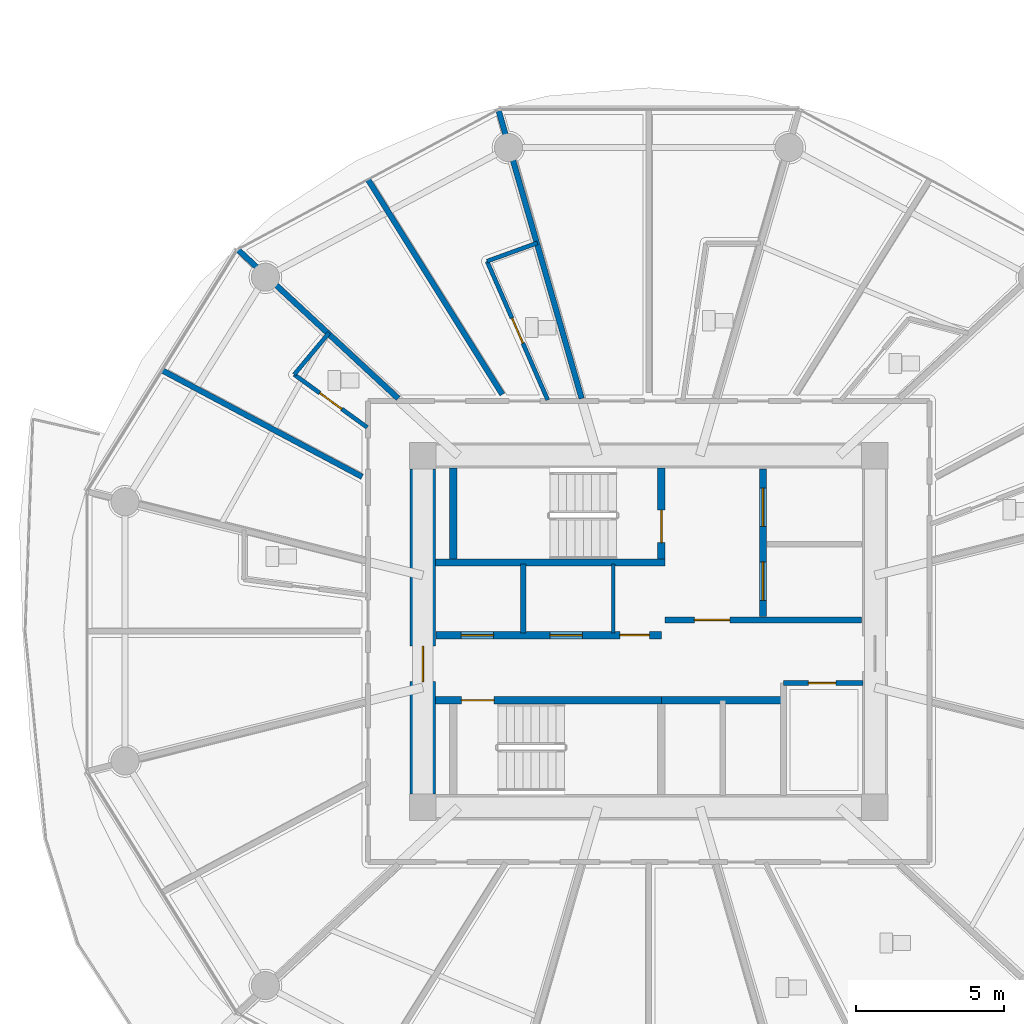
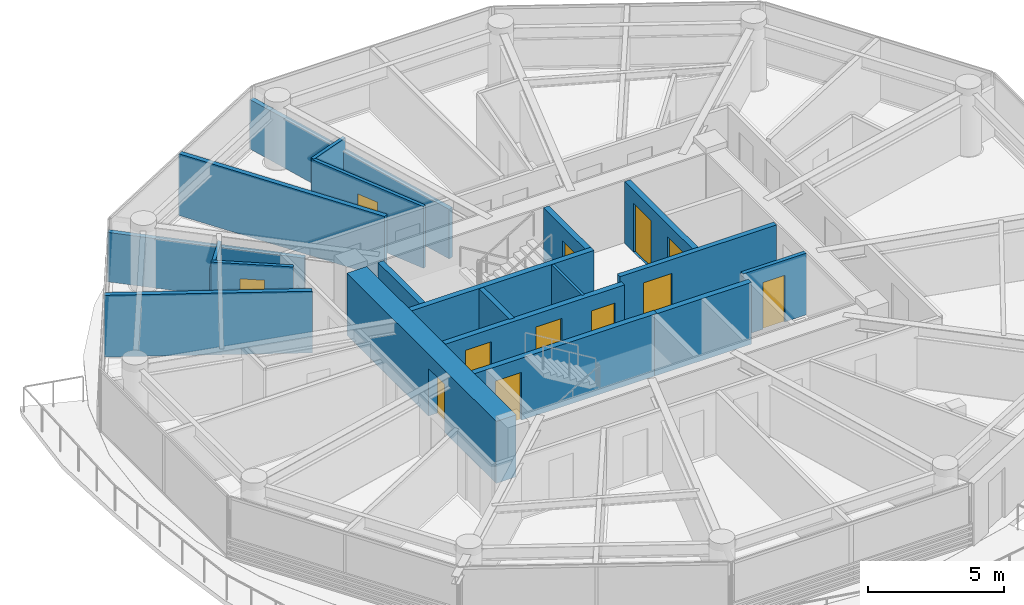
# One storey, part 16 of 31: 20 walls, 12 doors, 12 openings.
"""IFC4 building model written with IfcOpenShell, lengths in metres."""

from ifc_helpers import new_model, si_unit, direction, frame, frame_2d, origin, place, context, subcontext, project, spatial, rectangle, extrude, source, transform, mapped, material, layer, layer_set, type_object, type_shapes, element, fill, save


model = new_model("IFC4")

# Units and contexts
model_context = context("Model", 3, precision=1e-05, world=origin(), true_north=direction((0.0, 1.0)))
body_context = subcontext(model_context, "Body", "Model", "MODEL_VIEW")
ifc_project = project(units=[si_unit("LENGTHUNIT", "METRE"), si_unit("AREAUNIT", "SQUARE_METRE"), si_unit("VOLUMEUNIT", "CUBIC_METRE"), si_unit("PLANEANGLEUNIT", "RADIAN"), si_unit("MASSUNIT", "GRAM", prefix="KILO")], contexts=[model_context])

# Site, building, storey
site_placement = place(None, origin())
site = spatial("IfcSite", under=ifc_project, at=site_placement, CompositionType="ELEMENT")
building_placement = place(site_placement, origin())
building = spatial("IfcBuilding", under=site, at=building_placement, Name="Norrkilde Senior Care Towers", CompositionType="ELEMENT")
storey_placement = place(building_placement, frame((0.0, 0.0, 42.949951171875)))
storey = spatial("IfcBuildingStorey", under=building, at=storey_placement, Name="L12", CompositionType="ELEMENT", Elevation=42.949951171875)

# Wall, opening, door
ifc_material_1 = material(Name="Concrete C60/75", Category="concrete")
ifc_layer_1 = layer(ifc_material_1, 0.85009765625)
ifc_layer_set_1 = layer_set([ifc_layer_1], Name="Concrete C60/75")
wall_type_1 = type_object("IfcWallType", Name="Core Shear Wall Z1 850", PredefinedType="SHEAR", material=ifc_layer_set_1)
shared_shape_1 = source(origin(), body_context, "Body", "SweptSolid", [
    extrude(rectangle(XDim=11.0, YDim=0.85009765625, at=frame_2d((5.5, 0.0))), origin(), (0.0, 0.0, 1.0), 2.7900390625),
])
type_shapes(wall_type_1, [shared_shape_1])
wall_1_placement = place(storey_placement, frame((-35.64990234375, -5.5, 0.0), z_axis=(0.0, 0.0, 1.0), x_axis=(0.0, 1.0, 0.0)))
wall_1 = element("IfcWall", 1, at=wall_1_placement, inside=storey, type_object=wall_type_1, Name="L12 Core W West Shear Wall", PredefinedType="SHEAR", context=body_context, shape_type="MappedRepresentation", body=[
    mapped(shared_shape_1, transform((0.0, 0.0, 0.0), x_axis=(1.0, 0.0, 0.0), y_axis=(0.0, 1.0, 0.0), z_axis=(0.0, 0.0, 1.0), scale=1.0)),
])
opening_1_placement = place(wall_1_placement, frame((3.800048828125, 0.0, 0.0)))
opening_1 = element("IfcOpeningElement", 2, at=opening_1_placement, cuts=wall_1, Name="Opening D-04", PredefinedType="OPENING", context=body_context, shape_type="SweptSolid", body=[
    extrude(rectangle(XDim=1.199951171875, YDim=2.14990234375, at=frame_2d((0.60009765625, 1.074951171875))), frame((0.0, 0.43505859375, 0.0), z_axis=(0.0, -1.0, 0.0), x_axis=(1.0, 0.0, 0.0)), (0.0, 0.0, 1.0), 0.8701171875),
])
ifc_material_2 = material(Name="Galvanised Painted Steel", Category="steel")
door_type_1 = type_object("IfcDoorType", Name="Firefighting Lobby Fire Door 1200x2150", OperationType="NOTDEFINED", PredefinedType="DOOR", material=ifc_material_2)
shared_shape_2 = source(origin(), body_context, "Body", "SweptSolid", [
    extrude(rectangle(XDim=1.199951171875, YDim=2.14990234375, at=frame_2d((0.60009765625, 1.074951171875))), frame((0.0, 0.02490234375, 0.0), z_axis=(0.0, -1.0, 0.0), x_axis=(1.0, 0.0, 0.0)), (0.0, 0.0, 1.0), 0.050048828125),
])
type_shapes(door_type_1, [shared_shape_2])
door_1_placement = place(opening_1_placement, frame((1.199951171875, 0.0, 0.0), z_axis=(0.0, 0.0, 1.0), x_axis=(-1.0, 0.0, 0.0)))
door_1 = element("IfcDoor", 3, at=door_1_placement, inside=storey, type_object=door_type_1, Name="L12 Core W West Portal Door", OperationType="SINGLE_SWING_LEFT", OverallHeight=2.14990234375, OverallWidth=1.199951171875, PredefinedType="DOOR", context=body_context, shape_type="MappedRepresentation", body=[
    mapped(shared_shape_2, transform((0.0, 0.0, 0.0), x_axis=(1.0, 0.0, 0.0), y_axis=(0.0, 1.0, 0.0), z_axis=(0.0, 0.0, 1.0), scale=1.0)),
])
fill(opening_1, door_1)

# Wall
ifc_material_3 = material(Name="Concrete C45/55", Category="concrete")
ifc_layer_2 = layer(ifc_material_3, 0.239990234375)
ifc_layer_set_2 = layer_set([ifc_layer_2], Name="Concrete C45/55")
wall_type_2 = type_object("IfcWallType", Name="Shaft and Stair Enclosure Wall 240", PredefinedType="PARTITIONING", material=ifc_layer_set_2)
shared_shape_3 = source(origin(), body_context, "Body", "SweptSolid", [
    extrude(rectangle(XDim=7.76513671875, YDim=0.239990234375, at=frame_2d((3.882568359375, 0.0))), origin(), (0.0, 0.0, 1.0), 2.7900390625),
])
wall_2_placement = place(storey_placement, frame((-35.22509765625, 2.330078125, 0.0), z_axis=(0.0, 0.0, 1.0), x_axis=(1.0, 0.0, 0.0)))
element("IfcWall", 4, at=wall_2_placement, inside=storey, type_object=wall_type_2, Name="WL-INT-L12-W-ST1S", PredefinedType="PARTITIONING", context=body_context, shape_type="MappedRepresentation", body=[
    mapped(shared_shape_3, transform((0.0, 0.0, 0.0), x_axis=(1.0, 0.0, 0.0), y_axis=(0.0, 1.0, 0.0), z_axis=(0.0, 0.0, 1.0), scale=1.0)),
])

# Wall, opening, door
wall_3_placement = place(storey_placement, frame((-35.22509765625, -2.330078125, 0.0), z_axis=(0.0, 0.0, 1.0), x_axis=(1.0, 0.0, 0.0)))
wall_3 = element("IfcWall", 5, at=wall_3_placement, inside=storey, type_object=wall_type_2, Name="WL-INT-L12-W-ST2N", PredefinedType="PARTITIONING", context=body_context, shape_type="MappedRepresentation", body=[
    mapped(shared_shape_3, transform((0.0, 0.0, 0.0), x_axis=(1.0, 0.0, 0.0), y_axis=(0.0, 1.0, 0.0), z_axis=(0.0, 0.0, 1.0), scale=1.0)),
])
opening_2_placement = place(wall_3_placement, frame((0.885009765625, 0.0, 0.0)))
opening_2 = element("IfcOpeningElement", 6, at=opening_2_placement, cuts=wall_3, Name="Opening D-03", PredefinedType="OPENING", context=body_context, shape_type="SweptSolid", body=[
    extrude(rectangle(XDim=1.10009765625, YDim=2.14990234375, at=frame_2d((0.550048828125, 1.074951171875))), frame((0.0, 0.1298828125, 0.0), z_axis=(0.0, -1.0, 0.0), x_axis=(1.0, 0.0, 0.0)), (0.0, 0.0, 1.0), 0.260009765625),
])
door_type_2 = type_object("IfcDoorType", Name="Stairwell Protected Fire Door 1100x2150", OperationType="NOTDEFINED", PredefinedType="DOOR", material=ifc_material_2)
shared_shape_4 = source(origin(), body_context, "Body", "SweptSolid", [
    extrude(rectangle(XDim=1.10009765625, YDim=2.14990234375, at=frame_2d((0.550048828125, 1.074951171875))), frame((0.0, 0.02490234375, 0.0), z_axis=(0.0, -1.0, 0.0), x_axis=(1.0, 0.0, 0.0)), (0.0, 0.0, 1.0), 0.050048828125),
])
type_shapes(door_type_2, [shared_shape_4])
door_2_placement = place(opening_2_placement, frame((1.10009765625, 0.0, 0.0), z_axis=(0.0, 0.0, 1.0), x_axis=(-1.0, 0.0, 0.0)))
door_2 = element("IfcDoor", 7, at=door_2_placement, inside=storey, type_object=door_type_2, Name="L12 Stair W2 Fire Door", OperationType="SINGLE_SWING_RIGHT", OverallHeight=2.14990234375, OverallWidth=1.10009765625, PredefinedType="DOOR", context=body_context, shape_type="MappedRepresentation", body=[
    mapped(shared_shape_4, transform((0.0, 0.0, 0.0), x_axis=(1.0, 0.0, 0.0), y_axis=(0.0, 1.0, 0.0), z_axis=(0.0, 0.0, 1.0), scale=1.0)),
])
fill(opening_2, door_2)

# Wall
shared_shape_5 = source(origin(), body_context, "Body", "SweptSolid", [
    extrude(rectangle(XDim=3.074951171875, YDim=0.239990234375, at=frame_2d((1.53759765625, 0.0))), origin(), (0.0, 0.0, 1.0), 2.7900390625),
])
type_shapes(wall_type_2, [shared_shape_3, shared_shape_5])
wall_4_placement = place(storey_placement, frame((-34.6201171875, 2.449951171875, 0.0), z_axis=(0.0, 0.0, 1.0), x_axis=(0.0, 1.0, 0.0)))
element("IfcWall", 8, at=wall_4_placement, inside=storey, type_object=wall_type_2, Name="WL-INT-L12-W-ST1W", PredefinedType="PARTITIONING", context=body_context, shape_type="MappedRepresentation", body=[
    mapped(shared_shape_5, transform((0.0, 0.0, 0.0), x_axis=(1.0, 0.0, 0.0), y_axis=(0.0, 1.0, 0.0), z_axis=(0.0, 0.0, 1.0), scale=1.0)),
])

# Wall, opening, door
wall_5_placement = place(storey_placement, frame((-27.580078125, 2.449951171875, 0.0), z_axis=(0.0, 0.0, 1.0), x_axis=(0.0, 1.0, 0.0)))
wall_5 = element("IfcWall", 9, at=wall_5_placement, inside=storey, type_object=wall_type_2, Name="WL-INT-L12-W-ST1E", PredefinedType="PARTITIONING", context=body_context, shape_type="MappedRepresentation", body=[
    mapped(shared_shape_5, transform((0.0, 0.0, 0.0), x_axis=(1.0, 0.0, 0.0), y_axis=(0.0, 1.0, 0.0), z_axis=(0.0, 0.0, 1.0), scale=1.0)),
])
opening_3_placement = place(wall_5_placement, frame((0.550048828125, 0.0, 0.0)))
opening_3 = element("IfcOpeningElement", 10, at=opening_3_placement, cuts=wall_5, Name="Opening D-03", PredefinedType="OPENING", context=body_context, shape_type="SweptSolid", body=[
    extrude(rectangle(XDim=1.10009765625, YDim=2.14990234375, at=frame_2d((0.550048828125, 1.074951171875))), frame((0.0, 0.1298828125, 0.0), z_axis=(0.0, -1.0, 0.0), x_axis=(1.0, 0.0, 0.0)), (0.0, 0.0, 1.0), 0.260009765625),
])
door_3_placement = place(opening_3_placement, origin())
door_3 = element("IfcDoor", 11, at=door_3_placement, inside=storey, type_object=door_type_2, Name="L12 Stair W1 Fire Door", OperationType="SINGLE_SWING_LEFT", OverallHeight=2.14990234375, OverallWidth=1.10009765625, PredefinedType="DOOR", context=body_context, shape_type="MappedRepresentation", body=[
    mapped(shared_shape_4, transform((0.0, 0.0, 0.0), x_axis=(1.0, 0.0, 0.0), y_axis=(0.0, 1.0, 0.0), z_axis=(0.0, 0.0, 1.0), scale=1.0)),
])
fill(opening_3, door_3)

# Wall, openings, doors
ifc_layer_3 = layer(ifc_material_3, 0.239990234375)
ifc_layer_set_3 = layer_set([ifc_layer_3], Name="Concrete C45/55")
wall_type_3 = type_object("IfcWallType", Name="Lift and Plant Rated Enclosure Partition 240", PredefinedType="PARTITIONING", material=ifc_layer_set_3)
shared_shape_6 = source(origin(), body_context, "Body", "SweptSolid", [
    extrude(rectangle(XDim=5.0, YDim=0.239990234375, at=frame_2d((2.5, 0.0))), origin(), (0.0, 0.0, 1.0), 2.775146484375),
])
wall_6_placement = place(storey_placement, frame((-24.139892578125, 0.5, 0.0), z_axis=(0.0, 0.0, 1.0), x_axis=(0.0, 1.0, 0.0)))
wall_6 = element("IfcWall", 12, at=wall_6_placement, inside=storey, type_object=wall_type_3, Name="WL-INT-L12-W-FFLE", PredefinedType="PARTITIONING", context=body_context, shape_type="MappedRepresentation", body=[
    mapped(shared_shape_6, transform((0.0, 0.0, 0.0), x_axis=(1.0, 0.0, 0.0), y_axis=(0.0, 1.0, 0.0), z_axis=(0.0, 0.0, 1.0), scale=1.0)),
])
opening_4_placement = place(wall_6_placement, frame((3.050048828125, 0.0, 0.0)))
opening_4 = element("IfcOpeningElement", 13, at=opening_4_placement, cuts=wall_6, Name="Opening LD-02", PredefinedType="OPENING", context=body_context, shape_type="SweptSolid", body=[
    extrude(rectangle(XDim=1.300048828125, YDim=2.199951171875, at=frame_2d((0.64990234375, 1.10009765625))), frame((0.0, 0.1298828125, 0.0), z_axis=(0.0, -1.0, 0.0), x_axis=(1.0, 0.0, 0.0)), (0.0, 0.0, 1.0), 0.260009765625),
])
opening_5_placement = place(wall_6_placement, frame((0.550048828125, 0.0, 0.0)))
opening_5 = element("IfcOpeningElement", 14, at=opening_5_placement, cuts=wall_6, Name="Opening LD-02", PredefinedType="OPENING", context=body_context, shape_type="SweptSolid", body=[
    extrude(rectangle(XDim=1.300048828125, YDim=2.199951171875, at=frame_2d((0.64990234375, 1.10009765625))), frame((0.0, 0.1298828125, 0.0), z_axis=(0.0, -1.0, 0.0), x_axis=(1.0, 0.0, 0.0)), (0.0, 0.0, 1.0), 0.260009765625),
])
ifc_material_4 = material(Name="Stainless Steel", Category="steel")
door_type_3 = type_object("IfcDoorType", Name="Stretcher and FFL Landing Sliding Door 1300x2200", OperationType="NOTDEFINED", PredefinedType="DOOR", material=ifc_material_4)
shared_shape_7 = source(origin(), body_context, "Body", "SweptSolid", [
    extrude(rectangle(XDim=1.300048828125, YDim=2.199951171875, at=frame_2d((0.64990234375, 1.10009765625))), frame((0.0, 0.02490234375, 0.0), z_axis=(0.0, -1.0, 0.0), x_axis=(1.0, 0.0, 0.0)), (0.0, 0.0, 1.0), 0.050048828125),
])
type_shapes(door_type_3, [shared_shape_7])
door_4_placement = place(opening_4_placement, origin())
door_4 = element("IfcDoor", 15, at=door_4_placement, inside=storey, type_object=door_type_3, Name="L12 Firefighting Lift W1 Landing Door", OperationType="SLIDING_TO_LEFT", OverallHeight=2.199951171875, OverallWidth=1.300048828125, PredefinedType="DOOR", context=body_context, shape_type="MappedRepresentation", body=[
    mapped(shared_shape_7, transform((0.0, 0.0, 0.0), x_axis=(1.0, 0.0, 0.0), y_axis=(0.0, 1.0, 0.0), z_axis=(0.0, 0.0, 1.0), scale=1.0)),
])
fill(opening_4, door_4)
door_5_placement = place(opening_5_placement, origin())
door_5 = element("IfcDoor", 16, at=door_5_placement, inside=storey, type_object=door_type_3, Name="L12 Stretcher Lift W1 Landing Door", OperationType="SLIDING_TO_RIGHT", OverallHeight=2.199951171875, OverallWidth=1.300048828125, PredefinedType="DOOR", context=body_context, shape_type="MappedRepresentation", body=[
    mapped(shared_shape_7, transform((0.0, 0.0, 0.0), x_axis=(1.0, 0.0, 0.0), y_axis=(0.0, 1.0, 0.0), z_axis=(0.0, 0.0, 1.0), scale=1.0)),
])
fill(opening_5, door_5)

# Wall, opening, door
ifc_layer_4 = layer(ifc_material_3, 0.2099609375)
ifc_layer_set_4 = layer_set([ifc_layer_4], Name="Concrete C45/55")
wall_type_4 = type_object("IfcWallType", Name="Firefighting Lobby Wall 210", PredefinedType="PARTITIONING", material=ifc_layer_set_4)
shared_shape_8 = source(origin(), body_context, "Body", "SweptSolid", [
    extrude(rectangle(XDim=6.659912109375, YDim=0.2099609375, at=frame_2d((3.330078125, 0.0))), origin(), (0.0, 0.0, 1.0), 2.775146484375),
])
type_shapes(wall_type_4, [shared_shape_8])
wall_7_placement = place(storey_placement, frame((-27.4599609375, 0.389892578125, 0.0), z_axis=(0.0, 0.0, 1.0), x_axis=(1.0, 0.0, 0.0)))
wall_7 = element("IfcWall", 17, at=wall_7_placement, inside=storey, type_object=wall_type_4, Name="WL-INT-L12-W-FFLS", PredefinedType="PARTITIONING", context=body_context, shape_type="MappedRepresentation", body=[
    mapped(shared_shape_8, transform((0.0, 0.0, 0.0), x_axis=(1.0, 0.0, 0.0), y_axis=(0.0, 1.0, 0.0), z_axis=(0.0, 0.0, 1.0), scale=1.0)),
])
opening_6_placement = place(wall_7_placement, frame((1.0, 0.0, 0.0)))
opening_6 = element("IfcOpeningElement", 18, at=opening_6_placement, cuts=wall_7, Name="Opening D-04", PredefinedType="OPENING", context=body_context, shape_type="SweptSolid", body=[
    extrude(rectangle(XDim=1.199951171875, YDim=2.14990234375, at=frame_2d((0.60009765625, 1.074951171875))), frame((0.0, 0.114990234375, 0.0), z_axis=(0.0, -1.0, 0.0), x_axis=(1.0, 0.0, 0.0)), (0.0, 0.0, 1.0), 0.22998046875),
])
door_6_placement = place(opening_6_placement, frame((1.199951171875, 0.0, 0.0), z_axis=(0.0, 0.0, 1.0), x_axis=(-1.0, 0.0, 0.0)))
door_6 = element("IfcDoor", 19, at=door_6_placement, inside=storey, type_object=door_type_1, Name="L12 Firefighting Lobby W Door", OperationType="SINGLE_SWING_LEFT", OverallHeight=2.14990234375, OverallWidth=1.199951171875, PredefinedType="DOOR", context=body_context, shape_type="MappedRepresentation", body=[
    mapped(shared_shape_2, transform((0.0, 0.0, 0.0), x_axis=(1.0, 0.0, 0.0), y_axis=(0.0, 1.0, 0.0), z_axis=(0.0, 0.0, 1.0), scale=1.0)),
])
fill(opening_6, door_6)

# Wall, openings, doors
shared_shape_9 = source(origin(), body_context, "Body", "SweptSolid", [
    extrude(rectangle(XDim=7.619873046875, YDim=0.239990234375, at=frame_2d((3.81005859375, 0.0))), origin(), (0.0, 0.0, 1.0), 2.775146484375),
])
wall_8_placement = place(storey_placement, frame((-35.199951171875, -0.1298828125, 0.0), z_axis=(0.0, 0.0, 1.0), x_axis=(1.0, 0.0, 0.0)))
wall_8 = element("IfcWall", 20, at=wall_8_placement, inside=storey, type_object=wall_type_3, Name="WL-INT-L12-W-PKAS", PredefinedType="PARTITIONING", context=body_context, shape_type="MappedRepresentation", body=[
    mapped(shared_shape_9, transform((0.0, 0.0, 0.0), x_axis=(1.0, 0.0, 0.0), y_axis=(0.0, 1.0, 0.0), z_axis=(0.0, 0.0, 1.0), scale=1.0)),
])
opening_7_placement = place(wall_8_placement, frame((6.219970703125, 0.0, 0.0)))
opening_7 = element("IfcOpeningElement", 21, at=opening_7_placement, cuts=wall_8, Name="Opening D-10", PredefinedType="OPENING", context=body_context, shape_type="SweptSolid", body=[
    extrude(rectangle(XDim=1.0, YDim=2.10009765625, at=frame_2d((0.5, 1.050048828125))), frame((0.0, 0.1298828125, 0.0), z_axis=(0.0, -1.0, 0.0), x_axis=(1.0, 0.0, 0.0)), (0.0, 0.0, 1.0), 0.260009765625),
])
opening_8_placement = place(wall_8_placement, frame((0.85009765625, 0.0, 0.0)))
opening_8 = element("IfcOpeningElement", 22, at=opening_8_placement, cuts=wall_8, Name="Opening LD-01", PredefinedType="OPENING", context=body_context, shape_type="SweptSolid", body=[
    extrude(rectangle(XDim=1.10009765625, YDim=2.199951171875, at=frame_2d((0.550048828125, 1.10009765625))), frame((0.0, 0.1298828125, 0.0), z_axis=(0.0, -1.0, 0.0), x_axis=(1.0, 0.0, 0.0)), (0.0, 0.0, 1.0), 0.260009765625),
])
opening_9_placement = place(wall_8_placement, frame((3.85009765625, 0.0, 0.0)))
opening_9 = element("IfcOpeningElement", 23, at=opening_9_placement, cuts=wall_8, Name="Opening LD-01", PredefinedType="OPENING", context=body_context, shape_type="SweptSolid", body=[
    extrude(rectangle(XDim=1.10009765625, YDim=2.199951171875, at=frame_2d((0.550048828125, 1.10009765625))), frame((0.0, 0.1298828125, 0.0), z_axis=(0.0, -1.0, 0.0), x_axis=(1.0, 0.0, 0.0)), (0.0, 0.0, 1.0), 0.260009765625),
])
door_type_4 = type_object("IfcDoorType", Name="Plant and Riser Rated Door 1000x2100", OperationType="NOTDEFINED", PredefinedType="DOOR", material=ifc_material_2)
shared_shape_10 = source(origin(), body_context, "Body", "SweptSolid", [
    extrude(rectangle(XDim=1.0, YDim=2.10009765625, at=frame_2d((0.5, 1.050048828125))), frame((0.0, 0.02490234375, 0.0), z_axis=(0.0, -1.0, 0.0), x_axis=(1.0, 0.0, 0.0)), (0.0, 0.0, 1.0), 0.050048828125),
])
type_shapes(door_type_4, [shared_shape_10])
door_7_placement = place(opening_7_placement, frame((1.0, 0.0, 0.0), z_axis=(0.0, 0.0, 1.0), x_axis=(-1.0, 0.0, 0.0)))
door_7 = element("IfcDoor", 24, at=door_7_placement, inside=storey, type_object=door_type_4, Name="L12 Electrical Riser W Door", OperationType="SINGLE_SWING_LEFT", OverallHeight=2.10009765625, OverallWidth=1.0, PredefinedType="DOOR", context=body_context, shape_type="MappedRepresentation", body=[
    mapped(shared_shape_10, transform((0.0, 0.0, 0.0), x_axis=(1.0, 0.0, 0.0), y_axis=(0.0, 1.0, 0.0), z_axis=(0.0, 0.0, 1.0), scale=1.0)),
])
fill(opening_7, door_7)
door_type_5 = type_object("IfcDoorType", Name="Lift Landing Sliding Door 1100x2200", OperationType="NOTDEFINED", PredefinedType="DOOR", material=ifc_material_4)
shared_shape_11 = source(origin(), body_context, "Body", "SweptSolid", [
    extrude(rectangle(XDim=1.10009765625, YDim=2.199951171875, at=frame_2d((0.550048828125, 1.10009765625))), frame((0.0, 0.02490234375, 0.0), z_axis=(0.0, -1.0, 0.0), x_axis=(1.0, 0.0, 0.0)), (0.0, 0.0, 1.0), 0.050048828125),
])
type_shapes(door_type_5, [shared_shape_11])
door_8_placement = place(opening_8_placement, origin())
door_8 = element("IfcDoor", 25, at=door_8_placement, inside=storey, type_object=door_type_5, Name="L12 Passenger Lift W1 Landing Door", OperationType="SLIDING_TO_LEFT", OverallHeight=2.199951171875, OverallWidth=1.10009765625, PredefinedType="DOOR", context=body_context, shape_type="MappedRepresentation", body=[
    mapped(shared_shape_11, transform((0.0, 0.0, 0.0), x_axis=(1.0, 0.0, 0.0), y_axis=(0.0, 1.0, 0.0), z_axis=(0.0, 0.0, 1.0), scale=1.0)),
])
fill(opening_8, door_8)
door_9_placement = place(opening_9_placement, origin())
door_9 = element("IfcDoor", 26, at=door_9_placement, inside=storey, type_object=door_type_5, Name="L12 Passenger Lift W2 Landing Door", OperationType="SLIDING_TO_RIGHT", OverallHeight=2.199951171875, OverallWidth=1.10009765625, PredefinedType="DOOR", context=body_context, shape_type="MappedRepresentation", body=[
    mapped(shared_shape_11, transform((0.0, 0.0, 0.0), x_axis=(1.0, 0.0, 0.0), y_axis=(0.0, 1.0, 0.0), z_axis=(0.0, 0.0, 1.0), scale=1.0)),
])
fill(opening_9, door_9)

# Walls
ifc_material_5 = material(Name="Gypsum Acoustic Board")
ifc_layer_5 = layer(ifc_material_5, 0.114990234375)
ifc_layer_set_5 = layer_set([ifc_layer_5], Name="Gypsum Acoustic Board")
wall_type_5 = type_object("IfcWallType", Name="Internal Room Partition 115", PredefinedType="PARTITIONING", material=ifc_layer_set_5)
shared_shape_12 = source(origin(), body_context, "Body", "SweptSolid", [
    extrude(rectangle(XDim=2.330078125, YDim=0.114990234375, at=frame_2d((1.1650390625, 0.0))), origin(), (0.0, 0.0, 1.0), 2.775146484375),
])
type_shapes(wall_type_5, [shared_shape_12])
wall_9_placement = place(storey_placement, frame((-29.2099609375, -0.050048828125, 0.0), z_axis=(0.0, 0.0, 1.0), x_axis=(0.0, 1.0, 0.0)))
element("IfcWall", 27, at=wall_9_placement, inside=storey, type_object=wall_type_5, Name="WL-INT-L12-W-RISW", PredefinedType="PARTITIONING", context=body_context, shape_type="MappedRepresentation", body=[
    mapped(shared_shape_12, transform((0.0, 0.0, 0.0), x_axis=(1.0, 0.0, 0.0), y_axis=(0.0, 1.0, 0.0), z_axis=(0.0, 0.0, 1.0), scale=1.0)),
])
ifc_layer_6 = layer(ifc_material_3, 0.199951171875)
ifc_layer_set_6 = layer_set([ifc_layer_6], Name="Concrete C45/55")
wall_type_6 = type_object("IfcWallType", Name="Shaft Division and Plant Partition 200", PredefinedType="PARTITIONING", material=ifc_layer_set_6)
shared_shape_13 = source(origin(), body_context, "Body", "SweptSolid", [
    extrude(rectangle(XDim=2.330078125, YDim=0.199951171875, at=frame_2d((1.1650390625, 0.0))), origin(), (0.0, 0.0, 1.0), 2.775146484375),
])
type_shapes(wall_type_6, [shared_shape_13])
wall_10_placement = place(storey_placement, frame((-32.25, -0.050048828125, 0.0), z_axis=(0.0, 0.0, 1.0), x_axis=(0.0, 1.0, 0.0)))
element("IfcWall", 28, at=wall_10_placement, inside=storey, type_object=wall_type_6, Name="WL-INT-L12-W-PL12", PredefinedType="PARTITIONING", context=body_context, shape_type="MappedRepresentation", body=[
    mapped(shared_shape_13, transform((0.0, 0.0, 0.0), x_axis=(1.0, 0.0, 0.0), y_axis=(0.0, 1.0, 0.0), z_axis=(0.0, 0.0, 1.0), scale=1.0)),
])
shared_shape_14 = source(origin(), body_context, "Body", "SweptSolid", [
    extrude(rectangle(XDim=4.130126953125, YDim=0.239990234375, at=frame_2d((2.06494140625, 0.0))), origin(), (0.0, 0.0, 1.0), 2.775146484375),
])
type_shapes(wall_type_3, [shared_shape_6, shared_shape_9, shared_shape_14])
wall_11_placement = place(storey_placement, frame((-27.580078125, -2.330078125, 0.0), z_axis=(0.0, 0.0, 1.0), x_axis=(1.0, 0.0, 0.0)))
element("IfcWall", 29, at=wall_11_placement, inside=storey, type_object=wall_type_3, Name="WL-INT-L12-W-PKBN", PredefinedType="PARTITIONING", context=body_context, shape_type="MappedRepresentation", body=[
    mapped(shared_shape_14, transform((0.0, 0.0, 0.0), x_axis=(1.0, 0.0, 0.0), y_axis=(0.0, 1.0, 0.0), z_axis=(0.0, 0.0, 1.0), scale=1.0)),
])

# Wall, opening, door
ifc_layer_7 = layer(ifc_material_5, 0.1650390625)
ifc_layer_set_7 = layer_set([ifc_layer_7], Name="Gypsum Acoustic Board")
wall_type_7 = type_object("IfcWallType", Name="Corridor Rated Partition 165", PredefinedType="PARTITIONING", material=ifc_layer_set_7)
shared_shape_15 = source(origin(), body_context, "Body", "SweptSolid", [
    extrude(rectangle(XDim=2.699951171875, YDim=0.1650390625, at=frame_2d((1.35009765625, 0.0))), origin(), (0.0, 0.0, 1.0), 2.775146484375),
])
type_shapes(wall_type_7, [shared_shape_15])
wall_12_placement = place(storey_placement, frame((-23.449951171875, -1.75, 0.0), z_axis=(0.0, 0.0, 1.0), x_axis=(1.0, 0.0, 0.0)))
wall_12 = element("IfcWall", 30, at=wall_12_placement, inside=storey, type_object=wall_type_7, Name="WL-INT-L12-W-CSN", PredefinedType="PARTITIONING", context=body_context, shape_type="MappedRepresentation", body=[
    mapped(shared_shape_15, transform((0.0, 0.0, 0.0), x_axis=(1.0, 0.0, 0.0), y_axis=(0.0, 1.0, 0.0), z_axis=(0.0, 0.0, 1.0), scale=1.0)),
])
opening_10_placement = place(wall_12_placement, frame((0.85009765625, 0.0, 0.0)))
opening_10 = element("IfcOpeningElement", 31, at=opening_10_placement, cuts=wall_12, Name="Opening D-12", PredefinedType="OPENING", context=body_context, shape_type="SweptSolid", body=[
    extrude(rectangle(XDim=0.925048828125, YDim=2.10009765625, at=frame_2d((0.46240234375, 1.050048828125))), frame((0.0, 0.092529296875, 0.0), z_axis=(0.0, -1.0, 0.0), x_axis=(1.0, 0.0, 0.0)), (0.0, 0.0, 1.0), 0.18505859375),
])
door_type_6 = type_object("IfcDoorType", Name="Core Wet Room Rated Door 925x2100", OperationType="NOTDEFINED", PredefinedType="DOOR", material=ifc_material_2)
shared_shape_16 = source(origin(), body_context, "Body", "SweptSolid", [
    extrude(rectangle(XDim=0.925048828125, YDim=2.10009765625, at=frame_2d((0.46240234375, 1.050048828125))), frame((0.0, 0.02490234375, 0.0), z_axis=(0.0, -1.0, 0.0), x_axis=(1.0, 0.0, 0.0)), (0.0, 0.0, 1.0), 0.050048828125),
])
type_shapes(door_type_6, [shared_shape_16])
door_10_placement = place(opening_10_placement, origin())
door_10 = element("IfcDoor", 32, at=door_10_placement, inside=storey, type_object=door_type_6, Name="L12 Core Utility W Door", OperationType="SINGLE_SWING_LEFT", OverallHeight=2.10009765625, OverallWidth=0.925048828125, PredefinedType="DOOR", context=body_context, shape_type="MappedRepresentation", body=[
    mapped(shared_shape_16, transform((0.0, 0.0, 0.0), x_axis=(1.0, 0.0, 0.0), y_axis=(0.0, 1.0, 0.0), z_axis=(0.0, 0.0, 1.0), scale=1.0)),
])
fill(opening_10, door_10)

# Walls
ifc_layer_8 = layer(ifc_material_5, 0.18994140625)
ifc_layer_set_8 = layer_set([ifc_layer_8], Name="Gypsum Acoustic Board")
wall_type_8 = type_object("IfcWallType", Name="Unit Demising Acoustic Wall 190", PredefinedType="PARTITIONING", material=ifc_layer_set_8)
shared_shape_17 = source(origin(), body_context, "Body", "SweptSolid", [
    extrude(rectangle(XDim=7.4345703125, YDim=0.18994140625, at=frame_2d((3.71728515625, 0.0))), origin(), (0.0, 0.0, 1.0), 2.22509765625),
])
wall_13_placement = place(storey_placement, frame((-36.48291015625, 7.8798828125, 0.0), z_axis=(0.0, 0.0, 1.0), x_axis=(-0.732651956848, 0.680603489652, 0.0)))
element("IfcWall", 33, at=wall_13_placement, inside=storey, type_object=wall_type_8, Name="WL-INT-L12-W-DEM-04-0", PredefinedType="PARTITIONING", context=body_context, shape_type="MappedRepresentation", body=[
    mapped(shared_shape_17, transform((0.0, 0.0, 0.0), x_axis=(1.0, 0.0, 0.0), y_axis=(0.0, 1.0, 0.0), z_axis=(0.0, 0.0, 1.0), scale=1.0)),
])
shared_shape_18 = source(origin(), body_context, "Body", "SweptSolid", [
    extrude(rectangle(XDim=10.196044921875, YDim=0.18994140625, at=frame_2d((5.09814453125, 0.0))), origin(), (0.0, 0.0, 1.0), 2.22509765625),
])
wall_14_placement = place(storey_placement, frame((-30.27294921875, 7.8798828125, 0.0), z_axis=(0.0, 0.0, 1.0), x_axis=(-0.277136420347, 0.960830580549, 0.0)))
element("IfcWall", 34, at=wall_14_placement, inside=storey, type_object=wall_type_8, Name="WL-INT-L12-W-DEM-03-0", PredefinedType="PARTITIONING", context=body_context, shape_type="MappedRepresentation", body=[
    mapped(shared_shape_18, transform((0.0, 0.0, 0.0), x_axis=(1.0, 0.0, 0.0), y_axis=(0.0, 1.0, 0.0), z_axis=(0.0, 0.0, 1.0), scale=1.0)),
])
shared_shape_19 = source(origin(), body_context, "Body", "SweptSolid", [
    extrude(rectangle(XDim=8.59814453125, YDim=0.18994140625, at=frame_2d((4.299072265625, 0.0))), origin(), (0.0, 0.0, 1.0), 2.775146484375),
])
wall_15_placement = place(storey_placement, frame((-32.95703125, 8.017333984375, 0.0), z_axis=(0.0, 0.0, 1.0), x_axis=(-0.530039776395, 0.847972779893, 0.0)))
element("IfcWall", 35, at=wall_15_placement, inside=storey, type_object=wall_type_8, Name="WL-INT-L12-W-CMID-03", PredefinedType="PARTITIONING", context=body_context, shape_type="MappedRepresentation", body=[
    mapped(shared_shape_19, transform((0.0, 0.0, 0.0), x_axis=(1.0, 0.0, 0.0), y_axis=(0.0, 1.0, 0.0), z_axis=(0.0, 0.0, 1.0), scale=1.0)),
])
shared_shape_20 = source(origin(), body_context, "Body", "SweptSolid", [
    extrude(rectangle(XDim=7.6767578125, YDim=0.18994140625, at=frame_2d((3.83837890625, 0.0))), origin(), (0.0, 0.0, 1.0), 2.775146484375),
])
type_shapes(wall_type_8, [shared_shape_17, shared_shape_18, shared_shape_19, shared_shape_20])
wall_16_placement = place(storey_placement, frame((-37.703125, 5.23095703125, 0.0), z_axis=(0.0, 0.0, 1.0), x_axis=(-0.882725057546, 0.469889851753, 0.0)))
element("IfcWall", 36, at=wall_16_placement, inside=storey, type_object=wall_type_8, Name="WL-INT-L12-W-CMID-04", PredefinedType="PARTITIONING", context=body_context, shape_type="MappedRepresentation", body=[
    mapped(shared_shape_20, transform((0.0, 0.0, 0.0), x_axis=(1.0, 0.0, 0.0), y_axis=(0.0, 1.0, 0.0), z_axis=(0.0, 0.0, 1.0), scale=1.0)),
])

# Wall, opening, door
ifc_layer_9 = layer(ifc_material_5, 0.139892578125)
ifc_layer_set_9 = layer_set([ifc_layer_9], Name="Gypsum Acoustic Board")
wall_type_9 = type_object("IfcWallType", Name="En-suite Wet Room Wall 140", PredefinedType="PARTITIONING", material=ifc_layer_set_9)
shared_shape_21 = source(origin(), body_context, "Body", "SweptSolid", [
    extrude(rectangle(XDim=5.125732421875, YDim=0.139892578125, at=frame_2d((2.56298828125, 0.0))), origin(), (0.0, 0.0, 1.0), 2.775146484375),
])
wall_17_placement = place(storey_placement, frame((-31.421875, 7.830078125, 0.0), z_axis=(0.0, 0.0, 1.0), x_axis=(-0.400473994842, 0.916308124735, 0.0)))
wall_17 = element("IfcWall", 37, at=wall_17_placement, inside=storey, type_object=wall_type_9, Name="WL-INT-L12-W-ES-03A", PredefinedType="PARTITIONING", context=body_context, shape_type="MappedRepresentation", body=[
    mapped(shared_shape_21, transform((0.0, 0.0, 0.0), x_axis=(1.0, 0.0, 0.0), y_axis=(0.0, 1.0, 0.0), z_axis=(0.0, 0.0, 1.0), scale=1.0)),
])
opening_11_placement = place(wall_17_placement, frame((2.102783203125, 0.0, 0.0)))
opening_11 = element("IfcOpeningElement", 38, at=opening_11_placement, cuts=wall_17, Name="Opening D-08", PredefinedType="OPENING", context=body_context, shape_type="SweptSolid", body=[
    extrude(rectangle(XDim=0.919921875, YDim=2.10009765625, at=frame_2d((0.4599609375, 1.050048828125))), frame((0.0, 0.079833984375, 0.0), z_axis=(0.0, -1.0, 0.0), x_axis=(1.0, 0.0, 0.0)), (0.0, 0.0, 1.0), 0.159912109375),
])
ifc_material_6 = material(Name="Nordic Ash Timber", Category="wood")
door_type_7 = type_object("IfcDoorType", Name="Accessible Wet Room Door 920x2100", OperationType="NOTDEFINED", PredefinedType="DOOR", material=ifc_material_6)
shared_shape_22 = source(origin(), body_context, "Body", "SweptSolid", [
    extrude(rectangle(XDim=0.919921875, YDim=2.10009765625, at=frame_2d((0.4599609375, 1.050048828125))), frame((0.0, 0.02490234375, 0.0), z_axis=(0.0, -1.0, 0.0), x_axis=(1.0, 0.0, 0.0)), (0.0, 0.0, 1.0), 0.050048828125),
])
type_shapes(door_type_7, [shared_shape_22])
door_11_placement = place(opening_11_placement, origin())
door_11 = element("IfcDoor", 39, at=door_11_placement, inside=storey, type_object=door_type_7, Name="L12 Care Suite 1203A Bathroom Door", OperationType="SINGLE_SWING_RIGHT", OverallHeight=2.10009765625, OverallWidth=0.919921875, PredefinedType="DOOR", context=body_context, shape_type="MappedRepresentation", body=[
    mapped(shared_shape_22, transform((0.0, 0.0, 0.0), x_axis=(1.0, 0.0, 0.0), y_axis=(0.0, 1.0, 0.0), z_axis=(0.0, 0.0, 1.0), scale=1.0)),
])
fill(opening_11, door_11)

# Wall
shared_shape_23 = source(origin(), body_context, "Body", "SweptSolid", [
    extrude(rectangle(XDim=1.811279296875, YDim=0.139892578125, at=frame_2d((0.90576171875, 0.0))), origin(), (0.0, 0.0, 1.0), 2.775146484375),
])
wall_18_placement = place(storey_placement, frame((-33.474609375, 12.52685546875, 0.0), z_axis=(0.0, 0.0, 1.0), x_axis=(0.940009682452, 0.341147764021, 0.0)))
element("IfcWall", 40, at=wall_18_placement, inside=storey, type_object=wall_type_9, Name="WL-INT-L12-W-EF-03A", PredefinedType="PARTITIONING", context=body_context, shape_type="MappedRepresentation", body=[
    mapped(shared_shape_23, transform((0.0, 0.0, 0.0), x_axis=(1.0, 0.0, 0.0), y_axis=(0.0, 1.0, 0.0), z_axis=(0.0, 0.0, 1.0), scale=1.0)),
])

# Wall, opening, door
shared_shape_24 = source(origin(), body_context, "Body", "SweptSolid", [
    extrude(rectangle(XDim=3.050537109375, YDim=0.139892578125, at=frame_2d((1.525390625, 0.0))), origin(), (0.0, 0.0, 1.0), 2.775146484375),
])
wall_19_placement = place(storey_placement, frame((-37.530029296875, 6.902587890625, 0.0), z_axis=(0.0, 0.0, 1.0), x_axis=(-0.809849031404, 0.586638343729, 0.0)))
wall_19 = element("IfcWall", 41, at=wall_19_placement, inside=storey, type_object=wall_type_9, Name="WL-INT-L12-W-ES-04A", PredefinedType="PARTITIONING", context=body_context, shape_type="MappedRepresentation", body=[
    mapped(shared_shape_24, transform((0.0, 0.0, 0.0), x_axis=(1.0, 0.0, 0.0), y_axis=(0.0, 1.0, 0.0), z_axis=(0.0, 0.0, 1.0), scale=1.0)),
])
opening_12_placement = place(wall_19_placement, frame((1.065185546875, 0.0, 0.0)))
opening_12 = element("IfcOpeningElement", 42, at=opening_12_placement, cuts=wall_19, Name="Opening D-08", PredefinedType="OPENING", context=body_context, shape_type="SweptSolid", body=[
    extrude(rectangle(XDim=0.919921875, YDim=2.10009765625, at=frame_2d((0.4599609375, 1.050048828125))), frame((0.0, 0.079833984375, 0.0), z_axis=(0.0, -1.0, 0.0), x_axis=(1.0, 0.0, 0.0)), (0.0, 0.0, 1.0), 0.159912109375),
])
door_12_placement = place(opening_12_placement, origin())
door_12 = element("IfcDoor", 43, at=door_12_placement, inside=storey, type_object=door_type_7, Name="L12 Care Suite 1204A Bathroom Door", OperationType="SINGLE_SWING_LEFT", OverallHeight=2.10009765625, OverallWidth=0.919921875, PredefinedType="DOOR", context=body_context, shape_type="MappedRepresentation", body=[
    mapped(shared_shape_22, transform((0.0, 0.0, 0.0), x_axis=(1.0, 0.0, 0.0), y_axis=(0.0, 1.0, 0.0), z_axis=(0.0, 0.0, 1.0), scale=1.0)),
])
fill(opening_12, door_12)

# Wall
shared_shape_25 = source(origin(), body_context, "Body", "SweptSolid", [
    extrude(rectangle(XDim=1.840087890625, YDim=0.139892578125, at=frame_2d((0.919921875, 0.0))), origin(), (0.0, 0.0, 1.0), 2.4150390625),
])
type_shapes(wall_type_9, [shared_shape_21, shared_shape_23, shared_shape_24, shared_shape_25])
wall_20_placement = place(storey_placement, frame((-40.00048828125, 8.692138671875, 0.0), z_axis=(0.0, 0.0, 1.0), x_axis=(0.641410397049, 0.767197955262, 0.0)))
element("IfcWall", 44, at=wall_20_placement, inside=storey, type_object=wall_type_9, Name="WL-INT-L12-W-EF-04A", PredefinedType="PARTITIONING", context=body_context, shape_type="MappedRepresentation", body=[
    mapped(shared_shape_25, transform((0.0, 0.0, 0.0), x_axis=(1.0, 0.0, 0.0), y_axis=(0.0, 1.0, 0.0), z_axis=(0.0, 0.0, 1.0), scale=1.0)),
])

save(model, "model.ifc")
